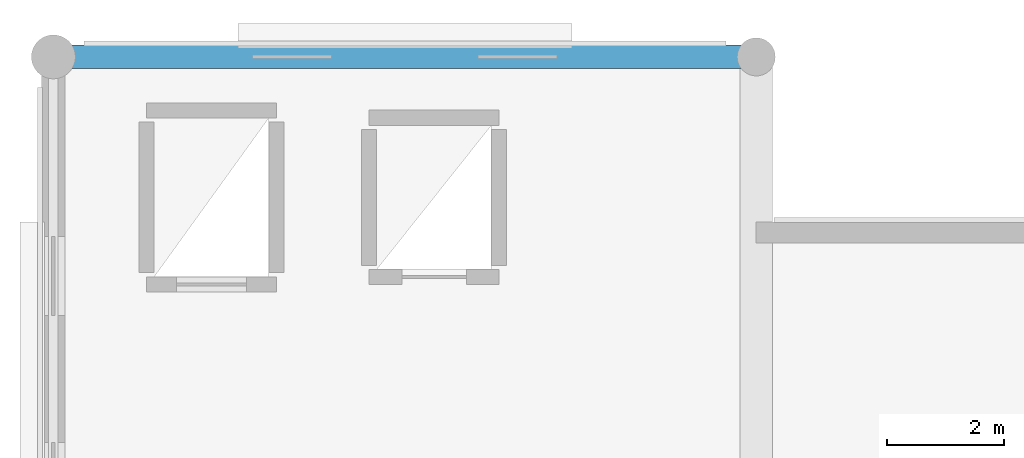
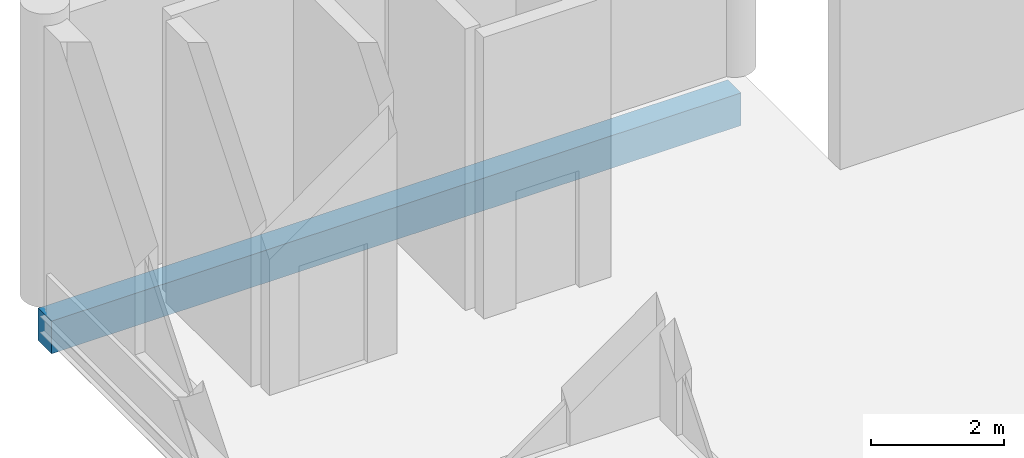
# One storey, part 25 of 49: 1 beam.
"""IFC4 building model written with IfcOpenShell, lengths in metres."""

from ifc_helpers import new_model, si_unit, direction, frame, origin, origin_2d, place, context, subcontext, project, spatial, rectangle, extrude, material, material_profile, profile_set, type_object, element, save


model = new_model("IFC4")

# Units and contexts
model_context = context("Model", 3, precision=1e-05, world=origin(), true_north=direction((0.0, 1.0)))
body_context = subcontext(model_context, "Body", "Model", "MODEL_VIEW")
ifc_project = project(units=[si_unit("LENGTHUNIT", "METRE"), si_unit("AREAUNIT", "SQUARE_METRE"), si_unit("VOLUMEUNIT", "CUBIC_METRE"), si_unit("PLANEANGLEUNIT", "RADIAN"), si_unit("MASSUNIT", "GRAM", prefix="KILO")], contexts=[model_context])

# Site, building, storey
site_placement = place(None, origin())
site = spatial("IfcSite", under=ifc_project, at=site_placement, CompositionType="ELEMENT")
building_placement = place(site_placement, origin())
building = spatial("IfcBuilding", under=site, at=building_placement, Name="Luwafu Chhajja Arena", CompositionType="ELEMENT")
storey_placement = place(building_placement, frame((0.0, 0.0, 24.300048828125)))
storey = spatial("IfcBuildingStorey", under=building, at=storey_placement, Name="L05", CompositionType="ELEMENT", Elevation=24.300048828125)

# Beam
ifc_material = material(Name="Concrete C35/45", Category="concrete")
ifc_material_profile = material_profile(ifc_material, rectangle(XDim=0.39990234375, YDim=0.60009765625, at=origin_2d()), Name="RC 400x600")
ifc_profile_set = profile_set([ifc_material_profile], Name="Concrete C35/45")
beam_type = type_object("IfcBeamType", Name="Podium Perimeter Spandrel RC 400x600", PredefinedType="SPANDREL", material=ifc_profile_set)
beam_placement = place(storey_placement, frame((34.0, 99.0, -0.68994140625), z_axis=(1.0, 0.0, 0.0), x_axis=(0.0, 1.0, 0.0)))
element("IfcBeam", 1, at=beam_placement, inside=storey, type_object=beam_type, Name="L05 Grid Beam 4-5/K", PredefinedType="SPANDREL", context=body_context, shape_type="SweptSolid", body=[
    extrude(rectangle(XDim=0.39990234375, YDim=0.60009765625, at=origin_2d()), origin(), (0.0, 0.0, 1.0), 12.0),
])

save(model, "model.ifc")
